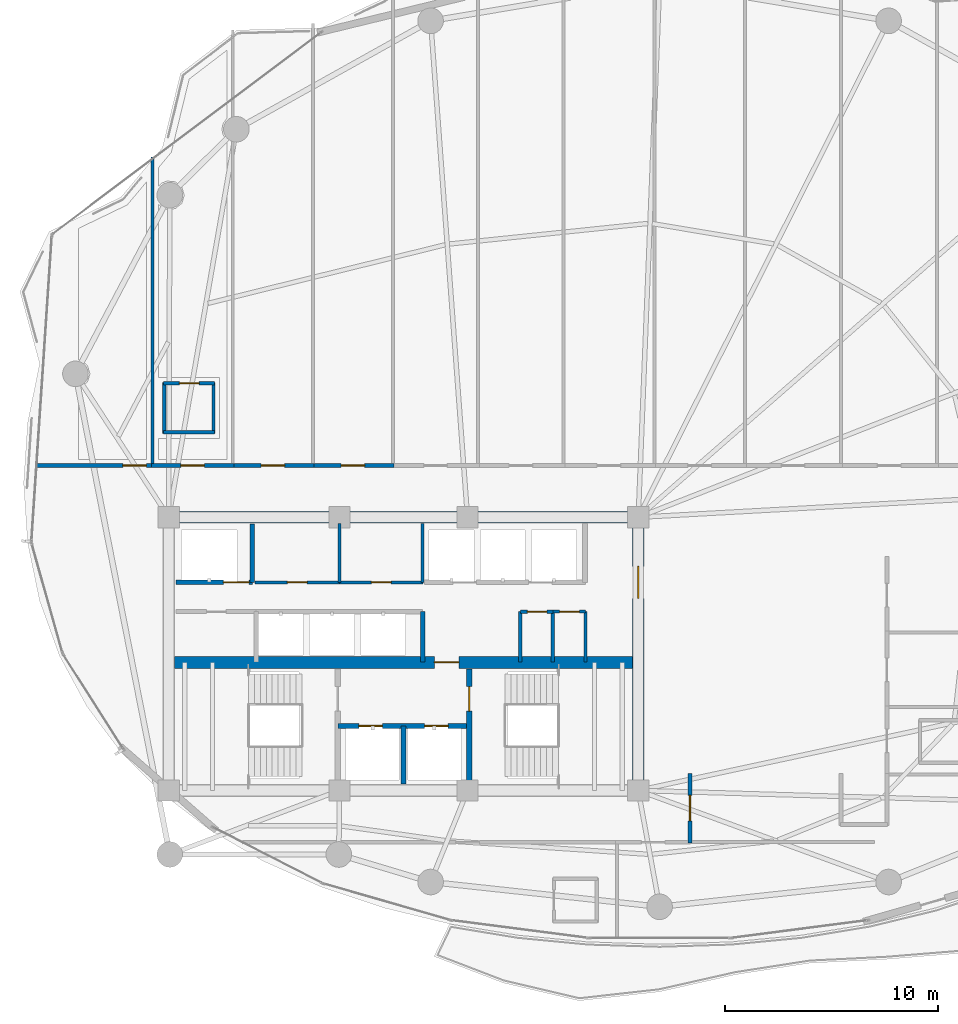
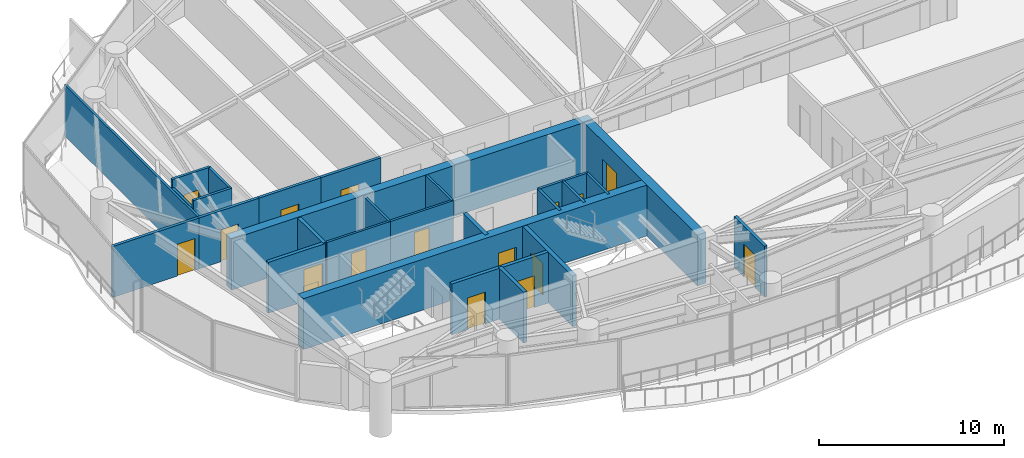
# One storey, part 25 of 31: 28 walls, 16 doors, 16 openings.
"""IFC4 building model written with IfcOpenShell, lengths in metres."""

from ifc_helpers import new_model, si_unit, direction, frame, frame_2d, origin, place, context, subcontext, project, spatial, rectangle, extrude, material, layer, layer_set, type_object, element, fill, save


model = new_model("IFC4")

# Units and contexts
model_context = context("Model", 3, precision=1e-05, world=origin(), true_north=direction((0.0, 1.0)))
body_context = subcontext(model_context, "Body", "Model", "MODEL_VIEW")
ifc_project = project(units=[si_unit("LENGTHUNIT", "METRE"), si_unit("AREAUNIT", "SQUARE_METRE"), si_unit("VOLUMEUNIT", "CUBIC_METRE"), si_unit("PLANEANGLEUNIT", "RADIAN"), si_unit("MASSUNIT", "GRAM", prefix="KILO")], contexts=[model_context])

# Site, building, storey
site_placement = place(None, origin())
site = spatial("IfcSite", under=ifc_project, at=site_placement, CompositionType="ELEMENT")
building_placement = place(site_placement, origin())
building = spatial("IfcBuilding", under=site, at=building_placement, Name="Kazevale Care Tower and Concert Hall", CompositionType="ELEMENT")
storey_placement = place(building_placement, frame((0.0, 0.0, 117.0)))
storey = spatial("IfcBuildingStorey", under=building, at=storey_placement, Name="L30", CompositionType="ELEMENT", Elevation=117.0)

# Wall, opening, door
ifc_material_1 = material(Name="Acoustic Gypsum on Steel Stud", Category="steel")
ifc_layer_1 = layer(ifc_material_1, 0.139892578125)
ifc_layer_set_1 = layer_set([ifc_layer_1], Name="Acoustic Gypsum on Steel Stud")
wall_type_1 = type_object("IfcWallType", Name="Acoustic Care & Suite Partition 140", PredefinedType="PARTITIONING", material=ifc_layer_set_1)
wall_1_placement = place(storey_placement, frame((26.050048828125, 33.35009765625, 0.0), z_axis=(0.0, 0.0, 1.0), x_axis=(1.0, 0.0, 0.0)))
wall_1 = element("IfcWall", 1, at=wall_1_placement, inside=storey, type_object=wall_type_1, Name="wall:L30:c_rpl1_s", PredefinedType="PARTITIONING", context=body_context, shape_type="SweptSolid", body=[
    extrude(rectangle(XDim=3.949951171875, YDim=0.139892578125, at=frame_2d((1.97509765625, 0.0))), origin(), (0.0, 0.0, 1.0), 3.360107421875),
])
opening_1_placement = place(wall_1_placement, frame((1.514892578125, 0.0, 0.0)))
opening_1 = element("IfcOpeningElement", 2, at=opening_1_placement, cuts=wall_1, Name="Opening ID-900", PredefinedType="OPENING", context=body_context, shape_type="SweptSolid", body=[
    extrude(rectangle(XDim=0.919921875, YDim=2.10009765625, at=frame_2d((0.4599609375, 1.050048828125))), frame((0.0, 0.079833984375, 0.0), z_axis=(0.0, -1.0, 0.0), x_axis=(1.0, 0.0, 0.0)), (0.0, 0.0, 1.0), 0.159912109375),
])
ifc_material_2 = material(Name="Oak Timber Fire Leaf", Category="wood")
door_type_1 = type_object("IfcDoorType", Name="Bathroom & Service Door 920x2100", OperationType="NOTDEFINED", PredefinedType="DOOR", material=ifc_material_2)
door_1_placement = place(opening_1_placement, origin())
door_1 = element("IfcDoor", 3, at=door_1_placement, inside=storey, type_object=door_type_1, Name="door:L30:d_rpl1", OperationType="SINGLE_SWING_LEFT", OverallHeight=2.10009765625, OverallWidth=0.919921875, PredefinedType="DOOR", context=body_context, shape_type="SweptSolid", body=[
    extrude(rectangle(XDim=0.919921875, YDim=2.10009765625, at=frame_2d((0.4599609375, 1.050048828125))), frame((0.0, 0.02490234375, 0.0), z_axis=(0.0, -1.0, 0.0), x_axis=(1.0, 0.0, 0.0)), (0.0, 0.0, 1.0), 0.050048828125),
])
fill(opening_1, door_1)

wall_2_placement = place(storey_placement, frame((30.0, 33.35009765625, 0.0), z_axis=(0.0, 0.0, 1.0), x_axis=(1.0, 0.0, 0.0)))
wall_2 = element("IfcWall", 4, at=wall_2_placement, inside=storey, type_object=wall_type_1, Name="wall:L30:c_rpl2_s", PredefinedType="PARTITIONING", context=body_context, shape_type="SweptSolid", body=[
    extrude(rectangle(XDim=3.919921875, YDim=0.139892578125, at=frame_2d((1.9599609375, 0.0))), origin(), (0.0, 0.0, 1.0), 3.360107421875),
])
opening_2_placement = place(wall_2_placement, frame((1.5, 0.0, 0.0)))
opening_2 = element("IfcOpeningElement", 5, at=opening_2_placement, cuts=wall_2, Name="Opening ID-900", PredefinedType="OPENING", context=body_context, shape_type="SweptSolid", body=[
    extrude(rectangle(XDim=0.919921875, YDim=2.10009765625, at=frame_2d((0.4599609375, 1.050048828125))), frame((0.0, 0.079833984375, 0.0), z_axis=(0.0, -1.0, 0.0), x_axis=(1.0, 0.0, 0.0)), (0.0, 0.0, 1.0), 0.159912109375),
])
door_2_placement = place(opening_2_placement, origin())
door_2 = element("IfcDoor", 6, at=door_2_placement, inside=storey, type_object=door_type_1, Name="door:L30:d_rpl2", OperationType="SINGLE_SWING_RIGHT", OverallHeight=2.10009765625, OverallWidth=0.919921875, PredefinedType="DOOR", context=body_context, shape_type="SweptSolid", body=[
    extrude(rectangle(XDim=0.919921875, YDim=2.10009765625, at=frame_2d((0.4599609375, 1.050048828125))), frame((0.0, 0.02490234375, 0.0), z_axis=(0.0, -1.0, 0.0), x_axis=(1.0, 0.0, 0.0)), (0.0, 0.0, 1.0), 0.050048828125),
])
fill(opening_2, door_2)

# Walls
for number, where, z_axis, x_axis, name in (
    (7, (30.0, 33.35009765625, 0.0), (0.0, 0.0, 1.0), (0.0, 1.0, 0.0), "wall:L30:c_rpl_m"),
    (8, (33.89990234375, 33.35009765625, 0.0), (0.0, 0.0, 1.0), (0.0, 1.0, 0.0), "wall:L30:c_rpl_e"),
):
    element("IfcWall", number, at=place(storey_placement, frame(where, z_axis=z_axis, x_axis=x_axis)), inside=storey, type_object=wall_type_1, Name=name, PredefinedType="PARTITIONING", context=body_context, shape_type="SweptSolid", body=[
        extrude(rectangle(XDim=2.75, YDim=0.139892578125, at=frame_2d((1.375, 0.0))), origin(), (0.0, 0.0, 1.0), 3.360107421875),
    ])
wall_3_placement = place(storey_placement, frame((41.52001953125, 29.6201171875, 0.0), z_axis=(0.0, 0.0, 1.0), x_axis=(0.0, 1.0, 0.0)))
element("IfcWall", 9, at=wall_3_placement, inside=storey, type_object=wall_type_1, Name="wall:L30:ka_ee", PredefinedType="PARTITIONING", context=body_context, shape_type="SweptSolid", body=[
    extrude(rectangle(XDim=2.35986328125, YDim=0.139892578125, at=frame_2d((1.179931640625, 0.0))), origin(), (0.0, 0.0, 1.0), 3.360107421875),
])

# Wall, opening, door
wall_4_placement = place(storey_placement, frame((40.0, 31.97998046875, 0.0), z_axis=(0.0, 0.0, 1.0), x_axis=(1.0, 0.0, 0.0)))
wall_4 = element("IfcWall", 10, at=wall_4_placement, inside=storey, type_object=wall_type_1, Name="wall:L30:ka_en2", PredefinedType="PARTITIONING", context=body_context, shape_type="SweptSolid", body=[
    extrude(rectangle(XDim=1.52001953125, YDim=0.139892578125, at=frame_2d((0.760009765625, 0.0))), origin(), (0.0, 0.0, 1.0), 3.360107421875),
])
opening_3_placement = place(wall_4_placement, frame((0.320068359375, 0.0, 0.0)))
opening_3 = element("IfcOpeningElement", 11, at=opening_3_placement, cuts=wall_4, Name="Opening ID-900", PredefinedType="OPENING", context=body_context, shape_type="SweptSolid", body=[
    extrude(rectangle(XDim=0.919921875, YDim=2.10009765625, at=frame_2d((0.4599609375, 1.050048828125))), frame((0.0, 0.079833984375, 0.0), z_axis=(0.0, -1.0, 0.0), x_axis=(1.0, 0.0, 0.0)), (0.0, 0.0, 1.0), 0.159912109375),
])
door_3_placement = place(opening_3_placement, origin())
door_3 = element("IfcDoor", 12, at=door_3_placement, inside=storey, type_object=door_type_1, Name="door:L30:d_kae2", OperationType="SINGLE_SWING_RIGHT", OverallHeight=2.10009765625, OverallWidth=0.919921875, PredefinedType="DOOR", context=body_context, shape_type="SweptSolid", body=[
    extrude(rectangle(XDim=0.919921875, YDim=2.10009765625, at=frame_2d((0.4599609375, 1.050048828125))), frame((0.0, 0.02490234375, 0.0), z_axis=(0.0, -1.0, 0.0), x_axis=(1.0, 0.0, 0.0)), (0.0, 0.0, 1.0), 0.050048828125),
])
fill(opening_3, door_3)

# Walls
wall_5_placement = place(storey_placement, frame((21.25, 53.27392578125, 0.0), z_axis=(0.0, 0.0, 1.0), x_axis=(0.0, -1.0, 0.0)))
element("IfcWall", 13, at=wall_5_placement, inside=storey, type_object=wall_type_1, Name="wall:L30:auto_022", PredefinedType="PARTITIONING", context=body_context, shape_type="SweptSolid", body=[
    extrude(rectangle(XDim=14.47900390625, YDim=0.139892578125, at=frame_2d((7.239501953125, 0.0))), origin(), (0.0, 0.0, 1.0), 3.360107421875),
])
ifc_material_3 = material(Name="Concrete C60", Category="concrete")
ifc_layer_2 = layer(ifc_material_3, 0.550048828125)
ifc_layer_set_2 = layer_set([ifc_layer_2], Name="Concrete C60")
wall_type_2 = type_object("IfcWallType", Name="Core Shear Wall 550 C60", PredefinedType="SHEAR", material=ifc_layer_set_2)
wall_6_placement = place(storey_placement, frame((21.72509765625, 36.39990234375, 0.0), z_axis=(0.0, 0.0, 1.0), x_axis=(1.0, 0.0, 0.0)))
element("IfcWall", 14, at=wall_6_placement, inside=storey, type_object=wall_type_2, Name="wall:L30:core:N", PredefinedType="SHEAR", context=body_context, shape_type="SweptSolid", body=[
    extrude(rectangle(XDim=22.5498046875, YDim=0.550048828125, at=frame_2d((11.27490234375, 0.0))), origin(), (0.0, 0.0, 1.0), 3.360107421875),
])

# Wall, opening, door
wall_7_placement = place(storey_placement, frame((44.0, 23.875, 0.0), z_axis=(0.0, 0.0, 1.0), x_axis=(0.0, 1.0, 0.0)))
wall_7 = element("IfcWall", 15, at=wall_7_placement, inside=storey, type_object=wall_type_2, Name="wall:L30:core:E", PredefinedType="SHEAR", context=body_context, shape_type="SweptSolid", body=[
    extrude(rectangle(XDim=12.25, YDim=0.550048828125, at=frame_2d((6.125, 0.0))), origin(), (0.0, 0.0, 1.0), 3.360107421875),
])
opening_4_placement = place(wall_7_placement, frame((8.72509765625, 0.0, 0.0)))
opening_4 = element("IfcOpeningElement", 16, at=opening_4_placement, cuts=wall_7, Name="Opening FD-60D", PredefinedType="OPENING", context=body_context, shape_type="SweptSolid", body=[
    extrude(rectangle(XDim=1.5, YDim=2.14990234375, at=frame_2d((0.75, 1.074951171875))), frame((0.0, 0.284912109375, 0.0), z_axis=(0.0, -1.0, 0.0), x_axis=(1.0, 0.0, 0.0)), (0.0, 0.0, 1.0), 0.570068359375),
])
door_type_2 = type_object("IfcDoorType", Name="Double Lobby & Auditorium Fire Door 1500x2150", OperationType="NOTDEFINED", PredefinedType="DOOR", material=ifc_material_2)
door_4_placement = place(opening_4_placement, origin())
door_4 = element("IfcDoor", 17, at=door_4_placement, inside=storey, type_object=door_type_2, Name="door:L30:core_east_out", OperationType="DOUBLE_DOOR_SINGLE_SWING", OverallHeight=2.14990234375, OverallWidth=1.5, PredefinedType="DOOR", context=body_context, shape_type="SweptSolid", body=[
    extrude(rectangle(XDim=1.5, YDim=2.14990234375, at=frame_2d((0.75, 1.074951171875))), frame((0.0, 0.02490234375, 0.0), z_axis=(0.0, -1.0, 0.0), x_axis=(1.0, 0.0, 0.0)), (0.0, 0.0, 1.0), 0.050048828125),
])
fill(opening_4, door_4)

wall_8_placement = place(storey_placement, frame((22.27490234375, 29.60009765625, 0.0), z_axis=(0.0, 0.0, 1.0), x_axis=(1.0, 0.0, 0.0)))
wall_8 = element("IfcWall", 18, at=wall_8_placement, inside=storey, type_object=wall_type_2, Name="wall:L30:core:M", PredefinedType="SHEAR", context=body_context, shape_type="SweptSolid", body=[
    extrude(rectangle(XDim=21.4501953125, YDim=0.550048828125, at=frame_2d((10.72509765625, 0.0))), origin(), (0.0, 0.0, 1.0), 3.360107421875),
])
opening_5_placement = place(wall_8_placement, frame((12.175048828125, 0.0, 0.0)))
opening_5 = element("IfcOpeningElement", 19, at=opening_5_placement, cuts=wall_8, Name="Opening FD-90", PredefinedType="OPENING", context=body_context, shape_type="SweptSolid", body=[
    extrude(rectangle(XDim=1.14990234375, YDim=2.10009765625, at=frame_2d((0.574951171875, 1.050048828125))), frame((0.0, 0.284912109375, 0.0), z_axis=(0.0, -1.0, 0.0), x_axis=(1.0, 0.0, 0.0)), (0.0, 0.0, 1.0), 0.570068359375),
])
ifc_material_4 = material(Name="Steel ASTM A572 Gr 50", Category="steel")
door_type_3 = type_object("IfcDoorType", Name="Pressurized Stair & Lobby Fire Door 1150x2100", OperationType="NOTDEFINED", PredefinedType="DOOR", material=ifc_material_4)
door_5_placement = place(opening_5_placement, origin())
door_5 = element("IfcDoor", 20, at=door_5_placement, inside=storey, type_object=door_type_3, Name="door:L30:ff_to_pax", OperationType="SINGLE_SWING_LEFT", OverallHeight=2.10009765625, OverallWidth=1.14990234375, PredefinedType="DOOR", context=body_context, shape_type="SweptSolid", body=[
    extrude(rectangle(XDim=1.14990234375, YDim=2.10009765625, at=frame_2d((0.574951171875, 1.050048828125))), frame((0.0, 0.02490234375, 0.0), z_axis=(0.0, -1.0, 0.0), x_axis=(1.0, 0.0, 0.0)), (0.0, 0.0, 1.0), 0.050048828125),
])
fill(opening_5, door_5)

# Wall, openings, doors
ifc_material_5 = material(Name="Concrete C40", Category="concrete")
ifc_layer_3 = layer(ifc_material_5, 0.219970703125)
ifc_layer_set_3 = layer_set([ifc_layer_3], Name="Concrete C40")
wall_type_3 = type_object("IfcWallType", Name="Elevator Hoistway Shaft Wall 220", PredefinedType="SOLIDWALL", material=ifc_layer_set_3)
wall_9_placement = place(storey_placement, frame((29.919921875, 26.6201171875, 0.0), z_axis=(0.0, 0.0, 1.0), x_axis=(1.0, 0.0, 0.0)))
wall_9 = element("IfcWall", 21, at=wall_9_placement, inside=storey, type_object=wall_type_3, Name="wall:L30:c_ffl_n", PredefinedType="SOLIDWALL", context=body_context, shape_type="SweptSolid", body=[
    extrude(rectangle(XDim=6.16015625, YDim=0.219970703125, at=frame_2d((3.080078125, 0.0))), origin(), (0.0, 0.0, 1.0), 3.360107421875),
])
opening_6_placement = place(wall_9_placement, frame((0.989990234375, 0.0, 0.0)))
opening_6 = element("IfcOpeningElement", 22, at=opening_6_placement, cuts=wall_9, Name="Opening LD-FF", PredefinedType="OPENING", context=body_context, shape_type="SweptSolid", body=[
    extrude(rectangle(XDim=1.10009765625, YDim=2.10009765625, at=frame_2d((0.550048828125, 1.050048828125))), frame((0.0, 0.119873046875, 0.0), z_axis=(0.0, -1.0, 0.0), x_axis=(1.0, 0.0, 0.0)), (0.0, 0.0, 1.0), 0.239990234375),
])
opening_7_placement = place(wall_9_placement, frame((4.070068359375, 0.0, 0.0)))
opening_7 = element("IfcOpeningElement", 23, at=opening_7_placement, cuts=wall_9, Name="Opening LD-FF", PredefinedType="OPENING", context=body_context, shape_type="SweptSolid", body=[
    extrude(rectangle(XDim=1.10009765625, YDim=2.10009765625, at=frame_2d((0.550048828125, 1.050048828125))), frame((0.0, 0.119873046875, 0.0), z_axis=(0.0, -1.0, 0.0), x_axis=(1.0, 0.0, 0.0)), (0.0, 0.0, 1.0), 0.239990234375),
])
ifc_material_6 = material(Name="Stainless Steel 316", Category="steel")
door_type_4 = type_object("IfcDoorType", Name="Emergency Lift Sliding Landing Door 1100x2100", OperationType="NOTDEFINED", PredefinedType="DOOR", material=ifc_material_6)
door_6_placement = place(opening_6_placement, origin())
door_6 = element("IfcDoor", 24, at=door_6_placement, inside=storey, type_object=door_type_4, Name="door:L30:ld_ffl1", OperationType="SLIDING_TO_LEFT", OverallHeight=2.10009765625, OverallWidth=1.10009765625, PredefinedType="DOOR", context=body_context, shape_type="SweptSolid", body=[
    extrude(rectangle(XDim=1.10009765625, YDim=2.10009765625, at=frame_2d((0.550048828125, 1.050048828125))), frame((0.0, 0.02490234375, 0.0), z_axis=(0.0, -1.0, 0.0), x_axis=(1.0, 0.0, 0.0)), (0.0, 0.0, 1.0), 0.050048828125),
])
fill(opening_6, door_6)
door_7_placement = place(opening_7_placement, origin())
door_7 = element("IfcDoor", 25, at=door_7_placement, inside=storey, type_object=door_type_4, Name="door:L30:ld_ffl2", OperationType="SLIDING_TO_RIGHT", OverallHeight=2.10009765625, OverallWidth=1.10009765625, PredefinedType="DOOR", context=body_context, shape_type="SweptSolid", body=[
    extrude(rectangle(XDim=1.10009765625, YDim=2.10009765625, at=frame_2d((0.550048828125, 1.050048828125))), frame((0.0, 0.02490234375, 0.0), z_axis=(0.0, -1.0, 0.0), x_axis=(1.0, 0.0, 0.0)), (0.0, 0.0, 1.0), 0.050048828125),
])
fill(opening_7, door_7)

# Walls
wall_10_placement = place(storey_placement, frame((33.0, 23.89990234375, 0.0), z_axis=(0.0, 0.0, 1.0), x_axis=(0.0, 1.0, 0.0)))
element("IfcWall", 26, at=wall_10_placement, inside=storey, type_object=wall_type_3, Name="wall:L30:c_ffl_m", PredefinedType="SOLIDWALL", context=body_context, shape_type="SweptSolid", body=[
    extrude(rectangle(XDim=2.72021484375, YDim=0.219970703125, at=frame_2d((1.360107421875, 0.0))), origin(), (0.0, 0.0, 1.0), 3.360107421875),
])
wall_11_placement = place(storey_placement, frame((25.919921875, 33.35009765625, 0.0), z_axis=(0.0, 0.0, 1.0), x_axis=(0.0, 1.0, 0.0)))
element("IfcWall", 27, at=wall_11_placement, inside=storey, type_object=wall_type_3, Name="wall:L30:c_svl_e", PredefinedType="SOLIDWALL", context=body_context, shape_type="SweptSolid", body=[
    extrude(rectangle(XDim=2.72998046875, YDim=0.219970703125, at=frame_2d((1.364990234375, 0.0))), origin(), (0.0, 0.0, 1.0), 3.360107421875),
])

# Wall, opening, door
wall_12_placement = place(storey_placement, frame((22.35009765625, 33.35009765625, 0.0), z_axis=(0.0, 0.0, 1.0), x_axis=(1.0, 0.0, 0.0)))
wall_12 = element("IfcWall", 28, at=wall_12_placement, inside=storey, type_object=wall_type_3, Name="wall:L30:c_svl_s", PredefinedType="SOLIDWALL", context=body_context, shape_type="SweptSolid", body=[
    extrude(rectangle(XDim=3.56982421875, YDim=0.219970703125, at=frame_2d((1.784912109375, 0.0))), origin(), (0.0, 0.0, 1.0), 3.360107421875),
])
opening_8_placement = place(wall_12_placement, frame((2.212890625, 0.0, 0.0)))
opening_8 = element("IfcOpeningElement", 29, at=opening_8_placement, cuts=wall_12, Name="Opening LD-SV", PredefinedType="OPENING", context=body_context, shape_type="SweptSolid", body=[
    extrude(rectangle(XDim=1.199951171875, YDim=2.10009765625, at=frame_2d((0.60009765625, 1.050048828125))), frame((0.0, 0.119873046875, 0.0), z_axis=(0.0, -1.0, 0.0), x_axis=(1.0, 0.0, 0.0)), (0.0, 0.0, 1.0), 0.239990234375),
])
door_type_5 = type_object("IfcDoorType", Name="Service Lift Sliding Landing Door 1200x2100", OperationType="NOTDEFINED", PredefinedType="DOOR", material=ifc_material_6)
door_8_placement = place(opening_8_placement, origin())
door_8 = element("IfcDoor", 30, at=door_8_placement, inside=storey, type_object=door_type_5, Name="door:L30:ld_svl1", OperationType="SLIDING_TO_LEFT", OverallHeight=2.10009765625, OverallWidth=1.199951171875, PredefinedType="DOOR", context=body_context, shape_type="SweptSolid", body=[
    extrude(rectangle(XDim=1.199951171875, YDim=2.10009765625, at=frame_2d((0.60009765625, 1.050048828125))), frame((0.0, 0.02490234375, 0.0), z_axis=(0.0, -1.0, 0.0), x_axis=(1.0, 0.0, 0.0)), (0.0, 0.0, 1.0), 0.050048828125),
])
fill(opening_8, door_8)

# Wall
wall_13_placement = place(storey_placement, frame((33.89990234375, 29.6201171875, 0.0), z_axis=(0.0, 0.0, 1.0), x_axis=(0.0, 1.0, 0.0)))
element("IfcWall", 31, at=wall_13_placement, inside=storey, type_object=wall_type_3, Name="wall:L30:c_ph_e", PredefinedType="SOLIDWALL", context=body_context, shape_type="SweptSolid", body=[
    extrude(rectangle(XDim=2.35986328125, YDim=0.219970703125, at=frame_2d((1.179931640625, 0.0))), origin(), (0.0, 0.0, 1.0), 3.360107421875),
])

# Wall, opening, door
ifc_material_7 = material(Name="Concrete C40 and Acoustic Gypsum", Category="concrete")
ifc_layer_4 = layer(ifc_material_7, 0.179931640625)
ifc_layer_set_4 = layer_set([ifc_layer_4], Name="Concrete C40 and Acoustic Gypsum")
wall_type_4 = type_object("IfcWallType", Name="Fire-Rated Corridor & Party Wall 180", PredefinedType="PARTITIONING", material=ifc_layer_set_4)
wall_14_placement = place(storey_placement, frame((15.816650390625, 38.824951171875, 0.0), z_axis=(0.0, 0.0, 1.0), x_axis=(1.0, 0.0, 0.0)))
wall_14 = element("IfcWall", 32, at=wall_14_placement, inside=storey, type_object=wall_type_4, Name="wall:L30:auto_001", PredefinedType="PARTITIONING", context=body_context, shape_type="SweptSolid", body=[
    extrude(rectangle(XDim=5.498291015625, YDim=0.179931640625, at=frame_2d((2.7490234375, 0.0))), origin(), (0.0, 0.0, 1.0), 3.360107421875),
])
opening_9_placement = place(wall_14_placement, frame((4.0380859375, 0.0, 0.0)))
opening_9 = element("IfcOpeningElement", 33, at=opening_9_placement, cuts=wall_14, Name="Opening ID-1100", PredefinedType="OPENING", context=body_context, shape_type="SweptSolid", body=[
    extrude(rectangle(XDim=1.10009765625, YDim=2.10009765625, at=frame_2d((0.550048828125, 1.050048828125))), frame((0.0, 0.099853515625, 0.0), z_axis=(0.0, -1.0, 0.0), x_axis=(1.0, 0.0, 0.0)), (0.0, 0.0, 1.0), 0.199951171875),
])
door_type_6 = type_object("IfcDoorType", Name="Care Bedroom Accessible Door 1100x2100", OperationType="NOTDEFINED", PredefinedType="DOOR", material=ifc_material_2)
door_9_placement = place(opening_9_placement, origin())
door_9 = element("IfcDoor", 34, at=door_9_placement, inside=storey, type_object=door_type_6, Name="door:L30:ad_001", OperationType="SINGLE_SWING_LEFT", OverallHeight=2.10009765625, OverallWidth=1.10009765625, PredefinedType="DOOR", context=body_context, shape_type="SweptSolid", body=[
    extrude(rectangle(XDim=1.10009765625, YDim=2.10009765625, at=frame_2d((0.550048828125, 1.050048828125))), frame((0.0, 0.02490234375, 0.0), z_axis=(0.0, -1.0, 0.0), x_axis=(1.0, 0.0, 0.0)), (0.0, 0.0, 1.0), 0.050048828125),
])
fill(opening_9, door_9)

wall_15_placement = place(storey_placement, frame((21.18505859375, 38.824951171875, 0.0), z_axis=(0.0, 0.0, 1.0), x_axis=(1.0, 0.0, 0.0)))
wall_15 = element("IfcWall", 35, at=wall_15_placement, inside=storey, type_object=wall_type_4, Name="wall:L30:auto_002", PredefinedType="PARTITIONING", context=body_context, shape_type="SweptSolid", body=[
    extrude(rectangle(XDim=3.8798828125, YDim=0.179931640625, at=frame_2d((1.93994140625, 0.0))), origin(), (0.0, 0.0, 1.0), 3.360107421875),
])
opening_10_placement = place(wall_15_placement, frame((1.389892578125, 0.0, 0.0)))
opening_10 = element("IfcOpeningElement", 36, at=opening_10_placement, cuts=wall_15, Name="Opening ID-1100", PredefinedType="OPENING", context=body_context, shape_type="SweptSolid", body=[
    extrude(rectangle(XDim=1.10009765625, YDim=2.10009765625, at=frame_2d((0.550048828125, 1.050048828125))), frame((0.0, 0.099853515625, 0.0), z_axis=(0.0, -1.0, 0.0), x_axis=(1.0, 0.0, 0.0)), (0.0, 0.0, 1.0), 0.199951171875),
])
door_10_placement = place(opening_10_placement, origin())
door_10 = element("IfcDoor", 37, at=door_10_placement, inside=storey, type_object=door_type_6, Name="door:L30:ad_002", OperationType="SINGLE_SWING_LEFT", OverallHeight=2.10009765625, OverallWidth=1.10009765625, PredefinedType="DOOR", context=body_context, shape_type="SweptSolid", body=[
    extrude(rectangle(XDim=1.10009765625, YDim=2.10009765625, at=frame_2d((0.550048828125, 1.050048828125))), frame((0.0, 0.02490234375, 0.0), z_axis=(0.0, -1.0, 0.0), x_axis=(1.0, 0.0, 0.0)), (0.0, 0.0, 1.0), 0.050048828125),
])
fill(opening_10, door_10)

wall_16_placement = place(storey_placement, frame((24.93505859375, 38.824951171875, 0.0), z_axis=(0.0, 0.0, 1.0), x_axis=(1.0, 0.0, 0.0)))
wall_16 = element("IfcWall", 38, at=wall_16_placement, inside=storey, type_object=wall_type_4, Name="wall:L30:auto_003", PredefinedType="PARTITIONING", context=body_context, shape_type="SweptSolid", body=[
    extrude(rectangle(XDim=3.8798828125, YDim=0.179931640625, at=frame_2d((1.93994140625, 0.0))), origin(), (0.0, 0.0, 1.0), 3.360107421875),
])
opening_11_placement = place(wall_16_placement, frame((1.389892578125, 0.0, 0.0)))
opening_11 = element("IfcOpeningElement", 39, at=opening_11_placement, cuts=wall_16, Name="Opening ID-1100", PredefinedType="OPENING", context=body_context, shape_type="SweptSolid", body=[
    extrude(rectangle(XDim=1.10009765625, YDim=2.10009765625, at=frame_2d((0.550048828125, 1.050048828125))), frame((0.0, 0.099853515625, 0.0), z_axis=(0.0, -1.0, 0.0), x_axis=(1.0, 0.0, 0.0)), (0.0, 0.0, 1.0), 0.199951171875),
])
door_11_placement = place(opening_11_placement, origin())
door_11 = element("IfcDoor", 40, at=door_11_placement, inside=storey, type_object=door_type_6, Name="door:L30:ad_003", OperationType="SINGLE_SWING_LEFT", OverallHeight=2.10009765625, OverallWidth=1.10009765625, PredefinedType="DOOR", context=body_context, shape_type="SweptSolid", body=[
    extrude(rectangle(XDim=1.10009765625, YDim=2.10009765625, at=frame_2d((0.550048828125, 1.050048828125))), frame((0.0, 0.02490234375, 0.0), z_axis=(0.0, -1.0, 0.0), x_axis=(1.0, 0.0, 0.0)), (0.0, 0.0, 1.0), 0.050048828125),
])
fill(opening_11, door_11)

wall_17_placement = place(storey_placement, frame((28.68505859375, 38.824951171875, 0.0), z_axis=(0.0, 0.0, 1.0), x_axis=(1.0, 0.0, 0.0)))
wall_17 = element("IfcWall", 41, at=wall_17_placement, inside=storey, type_object=wall_type_4, Name="wall:L30:auto_004", PredefinedType="PARTITIONING", context=body_context, shape_type="SweptSolid", body=[
    extrude(rectangle(XDim=3.8798828125, YDim=0.179931640625, at=frame_2d((1.93994140625, 0.0))), origin(), (0.0, 0.0, 1.0), 3.360107421875),
])
opening_12_placement = place(wall_17_placement, frame((1.389892578125, 0.0, 0.0)))
opening_12 = element("IfcOpeningElement", 42, at=opening_12_placement, cuts=wall_17, Name="Opening ID-1100", PredefinedType="OPENING", context=body_context, shape_type="SweptSolid", body=[
    extrude(rectangle(XDim=1.10009765625, YDim=2.10009765625, at=frame_2d((0.550048828125, 1.050048828125))), frame((0.0, 0.099853515625, 0.0), z_axis=(0.0, -1.0, 0.0), x_axis=(1.0, 0.0, 0.0)), (0.0, 0.0, 1.0), 0.199951171875),
])
door_12_placement = place(opening_12_placement, origin())
door_12 = element("IfcDoor", 43, at=door_12_placement, inside=storey, type_object=door_type_6, Name="door:L30:ad_004", OperationType="SINGLE_SWING_LEFT", OverallHeight=2.10009765625, OverallWidth=1.10009765625, PredefinedType="DOOR", context=body_context, shape_type="SweptSolid", body=[
    extrude(rectangle(XDim=1.10009765625, YDim=2.10009765625, at=frame_2d((0.550048828125, 1.050048828125))), frame((0.0, 0.02490234375, 0.0), z_axis=(0.0, -1.0, 0.0), x_axis=(1.0, 0.0, 0.0)), (0.0, 0.0, 1.0), 0.050048828125),
])
fill(opening_12, door_12)

wall_18_placement = place(storey_placement, frame((46.425048828125, 24.405029296875, 0.0), z_axis=(0.0, 0.0, 1.0), x_axis=(0.0, -1.0, 0.0)))
wall_18 = element("IfcWall", 44, at=wall_18_placement, inside=storey, type_object=wall_type_4, Name="wall:L30:auto_013", PredefinedType="PARTITIONING", context=body_context, shape_type="SweptSolid", body=[
    extrude(rectangle(XDim=3.260009765625, YDim=0.179931640625, at=frame_2d((1.6298828125, 0.0))), origin(), (0.0, 0.0, 1.0), 3.360107421875),
])
opening_13_placement = place(wall_18_placement, frame((1.030029296875, 0.0, 0.0)))
opening_13 = element("IfcOpeningElement", 45, at=opening_13_placement, cuts=wall_18, Name="Opening ID-1200", PredefinedType="OPENING", context=body_context, shape_type="SweptSolid", body=[
    extrude(rectangle(XDim=1.199951171875, YDim=2.14990234375, at=frame_2d((0.60009765625, 1.074951171875))), frame((0.0, 0.099853515625, 0.0), z_axis=(0.0, -1.0, 0.0), x_axis=(1.0, 0.0, 0.0)), (0.0, 0.0, 1.0), 0.199951171875),
])
door_type_7 = type_object("IfcDoorType", Name="Clinical & Therapy Door 1200x2150", OperationType="NOTDEFINED", PredefinedType="DOOR", material=ifc_material_2)
door_13_placement = place(opening_13_placement, origin())
door_13 = element("IfcDoor", 46, at=door_13_placement, inside=storey, type_object=door_type_7, Name="door:L30:ad_013", OperationType="SINGLE_SWING_LEFT", OverallHeight=2.14990234375, OverallWidth=1.199951171875, PredefinedType="DOOR", context=body_context, shape_type="SweptSolid", body=[
    extrude(rectangle(XDim=1.199951171875, YDim=2.14990234375, at=frame_2d((0.60009765625, 1.074951171875))), frame((0.0, 0.02490234375, 0.0), z_axis=(0.0, -1.0, 0.0), x_axis=(1.0, 0.0, 0.0)), (0.0, 0.0, 1.0), 0.050048828125),
])
fill(opening_13, door_13)

# Walls
ifc_layer_5 = layer(ifc_material_1, 0.159912109375)
ifc_layer_set_5 = layer_set([ifc_layer_5], Name="Acoustic Gypsum on Steel Stud")
wall_type_5 = type_object("IfcWallType", Name="Moisture-Resistant Bathroom Plumbing Wall 160", PredefinedType="PLUMBINGWALL", material=ifc_layer_set_5)
for number, where, z_axis, x_axis, name in (
    (47, (38.47998046875, 29.6201171875, 0.0), (0.0, 0.0, 1.0), (0.0, 1.0, 0.0), "wall:L30:ka_ew"),
    (48, (40.0, 29.6201171875, 0.0), (0.0, 0.0, 1.0), (0.0, 1.0, 0.0), "wall:L30:ka_em"),
):
    element("IfcWall", number, at=place(storey_placement, frame(where, z_axis=z_axis, x_axis=x_axis)), inside=storey, type_object=wall_type_5, Name=name, PredefinedType="PLUMBINGWALL", context=body_context, shape_type="SweptSolid", body=[
        extrude(rectangle(XDim=2.35986328125, YDim=0.159912109375, at=frame_2d((1.179931640625, 0.0))), origin(), (0.0, 0.0, 1.0), 3.360107421875),
    ])

# Wall, opening, door
wall_19_placement = place(storey_placement, frame((38.47998046875, 31.97998046875, 0.0), z_axis=(0.0, 0.0, 1.0), x_axis=(1.0, 0.0, 0.0)))
wall_19 = element("IfcWall", 49, at=wall_19_placement, inside=storey, type_object=wall_type_5, Name="wall:L30:ka_en1", PredefinedType="PLUMBINGWALL", context=body_context, shape_type="SweptSolid", body=[
    extrude(rectangle(XDim=1.52001953125, YDim=0.159912109375, at=frame_2d((0.760009765625, 0.0))), origin(), (0.0, 0.0, 1.0), 3.360107421875),
])
opening_14_placement = place(wall_19_placement, frame((0.320068359375, 0.0, 0.0)))
opening_14 = element("IfcOpeningElement", 50, at=opening_14_placement, cuts=wall_19, Name="Opening ID-900", PredefinedType="OPENING", context=body_context, shape_type="SweptSolid", body=[
    extrude(rectangle(XDim=0.919921875, YDim=2.10009765625, at=frame_2d((0.4599609375, 1.050048828125))), frame((0.0, 0.08984375, 0.0), z_axis=(0.0, -1.0, 0.0), x_axis=(1.0, 0.0, 0.0)), (0.0, 0.0, 1.0), 0.179931640625),
])
door_14_placement = place(opening_14_placement, origin())
door_14 = element("IfcDoor", 51, at=door_14_placement, inside=storey, type_object=door_type_1, Name="door:L30:d_kae1", OperationType="SINGLE_SWING_LEFT", OverallHeight=2.10009765625, OverallWidth=0.919921875, PredefinedType="DOOR", context=body_context, shape_type="SweptSolid", body=[
    extrude(rectangle(XDim=0.919921875, YDim=2.10009765625, at=frame_2d((0.4599609375, 1.050048828125))), frame((0.0, 0.02490234375, 0.0), z_axis=(0.0, -1.0, 0.0), x_axis=(1.0, 0.0, 0.0)), (0.0, 0.0, 1.0), 0.050048828125),
])
fill(opening_14, door_14)

# Wall
wall_20_placement = place(storey_placement, frame((21.760009765625, 40.375, 0.0), z_axis=(0.0, 0.0, 1.0), x_axis=(1.0, 0.0, 0.0)))
element("IfcWall", 52, at=wall_20_placement, inside=storey, type_object=wall_type_5, Name="wall:L30:nb2b_ens_ws", PredefinedType="PLUMBINGWALL", context=body_context, shape_type="SweptSolid", body=[
    extrude(rectangle(XDim=2.3798828125, YDim=0.159912109375, at=frame_2d((1.18994140625, 0.0))), origin(), (0.0, 0.0, 1.0), 3.360107421875),
])

# Wall, opening, door
wall_21_placement = place(storey_placement, frame((21.760009765625, 42.675048828125, 0.0), z_axis=(0.0, 0.0, 1.0), x_axis=(1.0, 0.0, 0.0)))
wall_21 = element("IfcWall", 53, at=wall_21_placement, inside=storey, type_object=wall_type_5, Name="wall:L30:nb2b_ens_wn", PredefinedType="PLUMBINGWALL", context=body_context, shape_type="SweptSolid", body=[
    extrude(rectangle(XDim=2.3798828125, YDim=0.159912109375, at=frame_2d((1.18994140625, 0.0))), origin(), (0.0, 0.0, 1.0), 3.360107421875),
])
opening_15_placement = place(wall_21_placement, frame((0.739990234375, 0.0, 0.0)))
opening_15 = element("IfcOpeningElement", 54, at=opening_15_placement, cuts=wall_21, Name="Opening ID-900", PredefinedType="OPENING", context=body_context, shape_type="SweptSolid", body=[
    extrude(rectangle(XDim=0.919921875, YDim=2.10009765625, at=frame_2d((0.4599609375, 1.050048828125))), frame((0.0, 0.08984375, 0.0), z_axis=(0.0, -1.0, 0.0), x_axis=(1.0, 0.0, 0.0)), (0.0, 0.0, 1.0), 0.179931640625),
])
door_15_placement = place(opening_15_placement, origin())
door_15 = element("IfcDoor", 55, at=door_15_placement, inside=storey, type_object=door_type_1, Name="door:L30:nb2b_ens_d", OperationType="SINGLE_SWING_LEFT", OverallHeight=2.10009765625, OverallWidth=0.919921875, PredefinedType="DOOR", context=body_context, shape_type="SweptSolid", body=[
    extrude(rectangle(XDim=0.919921875, YDim=2.10009765625, at=frame_2d((0.4599609375, 1.050048828125))), frame((0.0, 0.02490234375, 0.0), z_axis=(0.0, -1.0, 0.0), x_axis=(1.0, 0.0, 0.0)), (0.0, 0.0, 1.0), 0.050048828125),
])
fill(opening_15, door_15)

# Walls
wall_22_placement = place(storey_placement, frame((21.800048828125, 40.3349609375, 0.0), z_axis=(0.0, 0.0, 1.0), x_axis=(0.0, 1.0, 0.0)))
element("IfcWall", 56, at=wall_22_placement, inside=storey, type_object=wall_type_5, Name="wall:L30:nb2b_ens_ww", PredefinedType="PLUMBINGWALL", context=body_context, shape_type="SweptSolid", body=[
    extrude(rectangle(XDim=2.380126953125, YDim=0.159912109375, at=frame_2d((1.18994140625, 0.0))), origin(), (0.0, 0.0, 1.0), 2.805908203125),
])
wall_23_placement = place(storey_placement, frame((24.10009765625, 40.3349609375, 0.0), z_axis=(0.0, 0.0, 1.0), x_axis=(0.0, 1.0, 0.0)))
element("IfcWall", 57, at=wall_23_placement, inside=storey, type_object=wall_type_5, Name="wall:L30:nb2b_ens_we", PredefinedType="PLUMBINGWALL", context=body_context, shape_type="SweptSolid", body=[
    extrude(rectangle(XDim=2.380126953125, YDim=0.159912109375, at=frame_2d((1.18994140625, 0.0))), origin(), (0.0, 0.0, 1.0), 3.360107421875),
])

# Wall, opening, door
ifc_layer_6 = layer(ifc_material_5, 0.25)
ifc_layer_set_6 = layer_set([ifc_layer_6], Name="Concrete C40")
wall_type_6 = type_object("IfcWallType", Name="Pressurized Stair Shaft Wall 250", PredefinedType="SOLIDWALL", material=ifc_layer_set_6)
wall_24_placement = place(storey_placement, frame((36.080078125, 23.89990234375, 0.0), z_axis=(0.0, 0.0, 1.0), x_axis=(0.0, 1.0, 0.0)))
wall_24 = element("IfcWall", 58, at=wall_24_placement, inside=storey, type_object=wall_type_6, Name="wall:L30:c_st2_w", PredefinedType="SOLIDWALL", context=body_context, shape_type="SweptSolid", body=[
    extrude(rectangle(XDim=5.400146484375, YDim=0.25, at=frame_2d((2.7001953125, 0.0))), origin(), (0.0, 0.0, 1.0), 3.360107421875),
])
opening_16_placement = place(wall_24_placement, frame((3.4208984375, 0.0, 0.0)))
opening_16 = element("IfcOpeningElement", 59, at=opening_16_placement, cuts=wall_24, Name="Opening FD-90", PredefinedType="OPENING", context=body_context, shape_type="SweptSolid", body=[
    extrude(rectangle(XDim=1.14990234375, YDim=2.10009765625, at=frame_2d((0.574951171875, 1.050048828125))), frame((0.0, 0.135009765625, 0.0), z_axis=(0.0, -1.0, 0.0), x_axis=(1.0, 0.0, 0.0)), (0.0, 0.0, 1.0), 0.27001953125),
])
door_16_placement = place(opening_16_placement, origin())
door_16 = element("IfcDoor", 60, at=door_16_placement, inside=storey, type_object=door_type_3, Name="door:L30:st2", OperationType="SINGLE_SWING_LEFT", OverallHeight=2.10009765625, OverallWidth=1.14990234375, PredefinedType="DOOR", context=body_context, shape_type="SweptSolid", body=[
    extrude(rectangle(XDim=1.14990234375, YDim=2.10009765625, at=frame_2d((0.574951171875, 1.050048828125))), frame((0.0, 0.02490234375, 0.0), z_axis=(0.0, -1.0, 0.0), x_axis=(1.0, 0.0, 0.0)), (0.0, 0.0, 1.0), 0.050048828125),
])
fill(opening_16, door_16)

save(model, "model.ifc")
